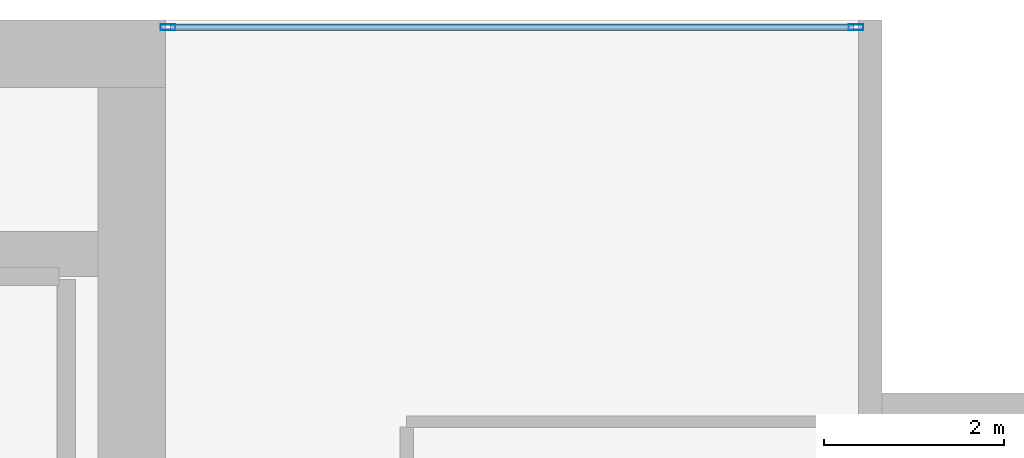
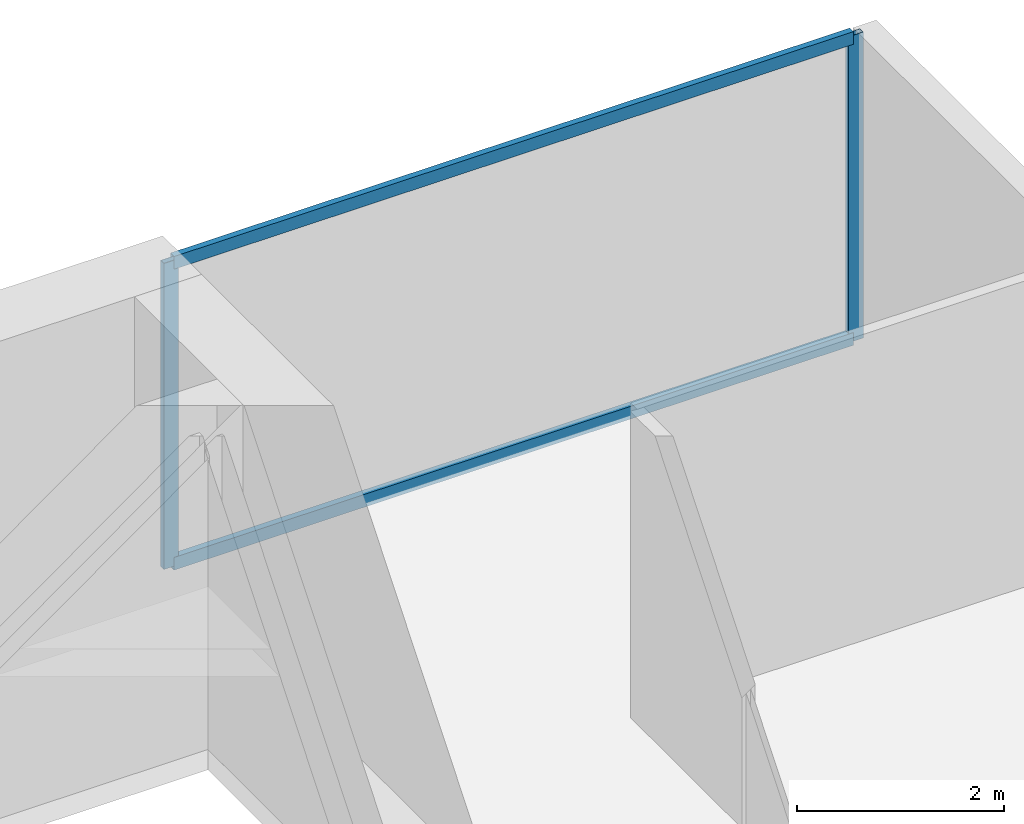
# One storey, part 25 of 34: 4 members, 1 element without a shape of its own.
"""IFC4 building model written with IfcOpenShell, lengths in metres."""

from ifc_helpers import new_model, si_unit, direction, frame, origin, origin_2d, place, context, subcontext, project, spatial, hollow_rectangle, extrude, material, layer, layer_set, material_profile, profile_set, type_object, element, aggregate, save


model = new_model("IFC4")

# Units and contexts
model_context = context("Model", 3, precision=1e-05, world=origin(), true_north=direction((0.0, 1.0)))
body_context = subcontext(model_context, "Body", "Model", "MODEL_VIEW")
ifc_project = project(units=[si_unit("LENGTHUNIT", "METRE"), si_unit("AREAUNIT", "SQUARE_METRE"), si_unit("VOLUMEUNIT", "CUBIC_METRE"), si_unit("PLANEANGLEUNIT", "RADIAN"), si_unit("MASSUNIT", "GRAM", prefix="KILO")], contexts=[model_context])

# Site, building, storey
site_placement = place(None, origin())
site = spatial("IfcSite", under=ifc_project, at=site_placement, CompositionType="ELEMENT")
building_placement = place(site_placement, origin())
building = spatial("IfcBuilding", under=site, at=building_placement, Name="Maruvema Waterfront Hotel and Observation Tower", CompositionType="ELEMENT")
storey_placement = place(building_placement, frame((0.0, 0.0, 146.64990234375)))
storey = spatial("IfcBuildingStorey", under=building, at=storey_placement, Name="L35", CompositionType="ELEMENT", Elevation=146.64990234375)

# Curtain wall, members
ifc_material_1 = material(Name="Anodised bronze aluminium and solar-control low-E IGU", Category="aluminium")
ifc_layer = layer(ifc_material_1, 0.159912109375, Name="Zone 2 Amber Inner Thermal Curtain Wall System CW-03")
ifc_layer_set = layer_set([ifc_layer], Name="Anodised bronze aluminium and solar-control low-E IGU")
curtain_wall_type = type_object("IfcCurtainWallType", Name="Zone 2 Amber Inner Thermal Curtain Wall System CW-03", PredefinedType="USERDEFINED", material=ifc_layer_set)
curtain_wall_placement = place(storey_placement, origin())
curtain_wall = element("IfcCurtainWall", 1, at=curtain_wall_placement, inside=storey, type_object=curtain_wall_type, Name="L35 Curtain Wall CW-L35-NE", ObjectType="UNITISED CURTAIN WALL", PredefinedType="USERDEFINED")
ifc_material_2 = material(Name="Anodised architectural bronze aluminium", Category="aluminium")
ifc_material_profile_1 = material_profile(ifc_material_2, hollow_rectangle(XDim=0.070068359375, YDim=0.14990234375, WallThickness=0.00390625, at=origin_2d()), Name="ALU-T70x150")
ifc_profile_set_1 = profile_set([ifc_material_profile_1], Name="Anodised architectural bronze aluminium")
member_type_1 = type_object("IfcMemberType", Name="Curtain Wall Horizontal Transom ALU-T70x150", PredefinedType="USERDEFINED", material=ifc_profile_set_1)
member_1_placement = place(storey_placement, frame((58.0400390625, 53.919921875, 0.030029296875), z_axis=(-1.0, 0.0, 0.0), x_axis=(0.0, -1.0, 0.0)))
member_1 = element("IfcMember", 2, at=member_1_placement, type_object=member_type_1, Name="CW-03 transom 1.1", ObjectType="TRANSOM", PredefinedType="USERDEFINED", context=body_context, shape_type="SweptSolid", body=[
    extrude(hollow_rectangle(XDim=0.070068359375, YDim=0.14990234375, WallThickness=0.00390625, at=origin_2d()), origin(), (0.0, 0.0, 1.0), 7.580078125),
])
member_2_placement = place(storey_placement, frame((58.0400390625, 53.919921875, 3.580078125), z_axis=(-1.0, 0.0, 0.0), x_axis=(0.0, -1.0, 0.0)))
member_2 = element("IfcMember", 3, at=member_2_placement, type_object=member_type_1, Name="CW-03 transom 1.2", ObjectType="TRANSOM", PredefinedType="USERDEFINED", context=body_context, shape_type="SweptSolid", body=[
    extrude(hollow_rectangle(XDim=0.070068359375, YDim=0.14990234375, WallThickness=0.00390625, at=origin_2d()), origin(), (0.0, 0.0, 1.0), 7.580078125),
])
ifc_material_3 = material(Name="Anodised architectural bronze aluminium", Category="aluminium")
ifc_material_profile_2 = material_profile(ifc_material_3, hollow_rectangle(XDim=0.06494140625, YDim=0.1650390625, WallThickness=0.00390625, at=origin_2d()), Name="ALU-M65x165")
ifc_profile_set_2 = profile_set([ifc_material_profile_2], Name="Anodised architectural bronze aluminium")
member_type_2 = type_object("IfcMemberType", Name="Curtain Wall Primary Mullion ALU-M65x165", PredefinedType="MULLION", material=ifc_profile_set_2)
member_3_placement = place(storey_placement, frame((58.070068359375, 53.919921875, 0.0), z_axis=(0.0, 0.0, 1.0), x_axis=(0.0, -1.0, 0.0)))
member_3 = element("IfcMember", 4, at=member_3_placement, type_object=member_type_2, Name="CW-03 mullion 1", PredefinedType="MULLION", context=body_context, shape_type="SweptSolid", body=[
    extrude(hollow_rectangle(XDim=0.06494140625, YDim=0.1650390625, WallThickness=0.00390625, at=origin_2d()), origin(), (0.0, 0.0, 1.0), 3.610107421875),
])
member_4_placement = place(storey_placement, frame((50.429931640625, 53.919921875, 0.0), z_axis=(0.0, 0.0, 1.0), x_axis=(0.0, -1.0, 0.0)))
member_4 = element("IfcMember", 5, at=member_4_placement, type_object=member_type_2, Name="CW-03 mullion 2", PredefinedType="MULLION", context=body_context, shape_type="SweptSolid", body=[
    extrude(hollow_rectangle(XDim=0.06494140625, YDim=0.1650390625, WallThickness=0.00390625, at=origin_2d()), origin(), (0.0, 0.0, 1.0), 3.610107421875),
])
aggregate(curtain_wall, [member_3, member_4, member_1, member_2])

save(model, "model.ifc")
